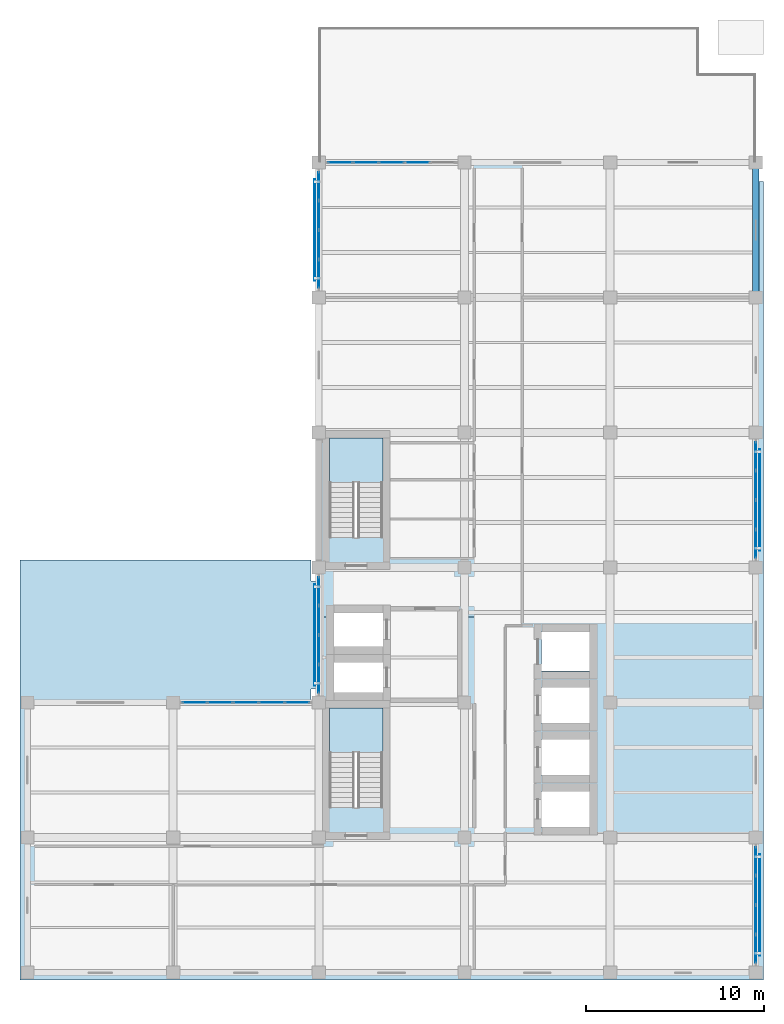
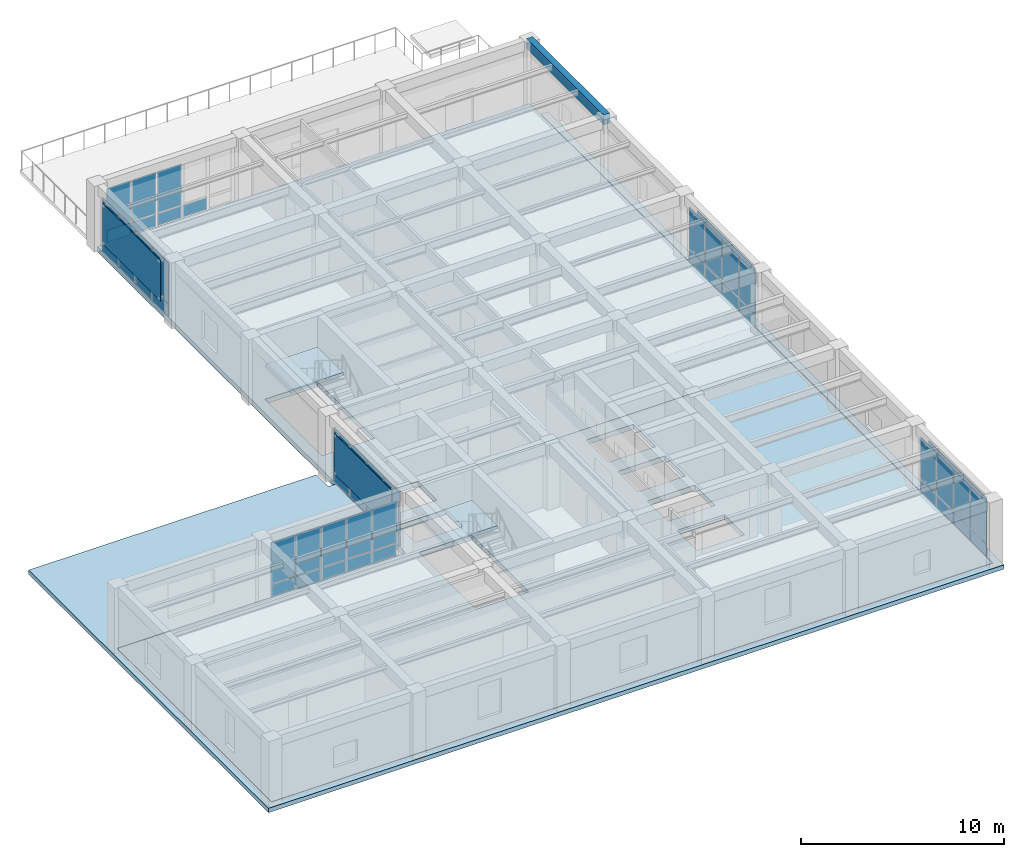
# One storey, part 5 of 12: 53 plates, 5 slabs, 1 beam, 8 elements without a shape of their own.
"""IFC4 building model written with IfcOpenShell, lengths in metres."""

from ifc_helpers import new_model, si_unit, direction, frame, origin, origin_2d, place, context, subcontext, project, spatial, polyline, rectangle, outline, extrude, material, layer, layer_set, material_profile, profile_set, type_object, element, aggregate, save


model = new_model("IFC4")

# Units and contexts
model_context = context("Model", 3, precision=1e-05, world=origin(), true_north=direction((0.0, 1.0)))
body_context = subcontext(model_context, "Body", "Model", "MODEL_VIEW")
ifc_project = project(units=[si_unit("LENGTHUNIT", "METRE"), si_unit("AREAUNIT", "SQUARE_METRE"), si_unit("VOLUMEUNIT", "CUBIC_METRE"), si_unit("PLANEANGLEUNIT", "RADIAN"), si_unit("MASSUNIT", "GRAM", prefix="KILO")], contexts=[model_context])

# Site, building, storey
site_placement = place(None, origin())
site = spatial("IfcSite", under=ifc_project, at=site_placement, CompositionType="ELEMENT")
building_placement = place(site_placement, origin())
building = spatial("IfcBuilding", under=site, at=building_placement, Name="Qandaris Square Conservatory and Botanical Centre", CompositionType="ELEMENT")
storey_placement = place(building_placement, frame((0.0, 0.0, 53.39990234375)))
storey = spatial("IfcBuildingStorey", under=building, at=storey_placement, Name="L12", CompositionType="ELEMENT", Elevation=53.39990234375)

# Beam
ifc_material_1 = material(Name="Concrete C50/60", Category="concrete")
ifc_material_profile = material_profile(ifc_material_1, rectangle(XDim=0.35009765625, YDim=0.60009765625, at=origin_2d()), Name="RC-SP 350x600")
ifc_profile_set = profile_set([ifc_material_profile], Name="Concrete C50/60")
beam_type = type_object("IfcBeamType", Name="RC Edge Spandrel Beam 350x600", PredefinedType="SPANDREL", material=ifc_profile_set)
beam_placement = place(storey_placement, frame((163.800048828125, 54.60009765625, 3.66015625), z_axis=(0.0, 1.0, 0.0), x_axis=(-1.0, 0.0, 0.0)))
element("IfcBeam", 1, at=beam_placement, inside=storey, type_object=beam_type, Name="L12 Frame Beam 2697", PredefinedType="SPANDREL", context=body_context, shape_type="SweptSolid", body=[
    extrude(rectangle(XDim=0.35009765625, YDim=0.60009765625, at=origin_2d()), origin(), (0.0, 0.0, 1.0), 7.599853515625),
])

# Curtain wall, plates
ifc_material_2 = material(Name="Anodised Aluminium", Category="aluminium")
curtain_wall_type_1 = type_object("IfcCurtainWallType", Name="Unitised Curtain Wall CW-4-665x336", PredefinedType="USERDEFINED", material=ifc_material_2)
curtain_wall_1_placement = place(storey_placement, origin())
curtain_wall_1 = element("IfcCurtainWall", 2, at=curtain_wall_1_placement, inside=storey, type_object=curtain_wall_type_1, Name="Curtain Wall CW-TWR-L12-2-1", ObjectType="GLAZED CURTAIN WALL", PredefinedType="USERDEFINED")
ifc_material_3 = material(Name="Tempered Low-E Glass", Category="glass")
ifc_layer_1 = layer(ifc_material_3, 0.035888671875)
ifc_layer_set_1 = layer_set([ifc_layer_1], Name="Tempered Low-E Glass")
plate_type_1 = type_object("IfcPlateType", Name="Double-Glazed Solar Control Vision Unit 36mm", PredefinedType="CURTAIN_PANEL", material=ifc_layer_set_1)
plate_1_placement = place(storey_placement, frame((163.800048828125, 17.922607421875, 0.06494140625), z_axis=(0.0, 0.0, 1.0), x_axis=(0.0, 1.0, 0.0)))
plate_1 = element("IfcPlate", 3, at=plate_1_placement, type_object=plate_type_1, Name="CW-4-665x336 panel 1.1", PredefinedType="CURTAIN_PANEL", context=body_context, shape_type="SweptSolid", body=[
    extrude(rectangle(XDim=1.56494140625, YDim=0.035888671875, at=origin_2d()), origin(), (0.0, 0.0, 1.0), 0.708984375),
])
plate_2_placement = place(storey_placement, frame((163.800048828125, 17.922607421875, 0.839111328125), z_axis=(0.0, 0.0, 1.0), x_axis=(0.0, 1.0, 0.0)))
plate_2 = element("IfcPlate", 4, at=plate_2_placement, type_object=plate_type_1, Name="CW-4-665x336 panel 1.2", PredefinedType="CURTAIN_PANEL", context=body_context, shape_type="SweptSolid", body=[
    extrude(rectangle(XDim=1.56494140625, YDim=0.035888671875, at=origin_2d()), origin(), (0.0, 0.0, 1.0), 2.4560546875),
])
plate_3_placement = place(storey_placement, frame((163.800048828125, 19.56884765625, 0.06494140625), z_axis=(0.0, 0.0, 1.0), x_axis=(0.0, 1.0, 0.0)))
plate_3 = element("IfcPlate", 5, at=plate_3_placement, type_object=plate_type_1, Name="CW-4-665x336 panel 2.1", PredefinedType="CURTAIN_PANEL", context=body_context, shape_type="SweptSolid", body=[
    extrude(rectangle(XDim=1.597412109375, YDim=0.035888671875, at=origin_2d()), origin(), (0.0, 0.0, 1.0), 0.708984375),
])
plate_4_placement = place(storey_placement, frame((163.800048828125, 19.56884765625, 0.839111328125), z_axis=(0.0, 0.0, 1.0), x_axis=(0.0, 1.0, 0.0)))
plate_4 = element("IfcPlate", 6, at=plate_4_placement, type_object=plate_type_1, Name="CW-4-665x336 panel 2.2", PredefinedType="CURTAIN_PANEL", context=body_context, shape_type="SweptSolid", body=[
    extrude(rectangle(XDim=1.597412109375, YDim=0.035888671875, at=origin_2d()), origin(), (0.0, 0.0, 1.0), 2.4560546875),
])
plate_5_placement = place(storey_placement, frame((163.800048828125, 21.231201171875, 0.06494140625), z_axis=(0.0, 0.0, 1.0), x_axis=(0.0, 1.0, 0.0)))
plate_5 = element("IfcPlate", 7, at=plate_5_placement, type_object=plate_type_1, Name="CW-4-665x336 panel 3.1", PredefinedType="CURTAIN_PANEL", context=body_context, shape_type="SweptSolid", body=[
    extrude(rectangle(XDim=1.597412109375, YDim=0.035888671875, at=origin_2d()), origin(), (0.0, 0.0, 1.0), 0.708984375),
])
plate_6_placement = place(storey_placement, frame((163.800048828125, 21.231201171875, 0.839111328125), z_axis=(0.0, 0.0, 1.0), x_axis=(0.0, 1.0, 0.0)))
plate_6 = element("IfcPlate", 8, at=plate_6_placement, type_object=plate_type_1, Name="CW-4-665x336 panel 3.2", PredefinedType="CURTAIN_PANEL", context=body_context, shape_type="SweptSolid", body=[
    extrude(rectangle(XDim=1.597412109375, YDim=0.035888671875, at=origin_2d()), origin(), (0.0, 0.0, 1.0), 2.4560546875),
])
plate_7_placement = place(storey_placement, frame((163.800048828125, 22.87744140625, 0.06494140625), z_axis=(0.0, 0.0, 1.0), x_axis=(0.0, 1.0, 0.0)))
plate_7 = element("IfcPlate", 9, at=plate_7_placement, type_object=plate_type_1, Name="CW-4-665x336 panel 4.1", PredefinedType="CURTAIN_PANEL", context=body_context, shape_type="SweptSolid", body=[
    extrude(rectangle(XDim=1.56494140625, YDim=0.035888671875, at=origin_2d()), origin(), (0.0, 0.0, 1.0), 0.708984375),
])
plate_8_placement = place(storey_placement, frame((163.800048828125, 22.87744140625, 0.839111328125), z_axis=(0.0, 0.0, 1.0), x_axis=(0.0, 1.0, 0.0)))
plate_8 = element("IfcPlate", 10, at=plate_8_placement, type_object=plate_type_1, Name="CW-4-665x336 panel 4.2", PredefinedType="CURTAIN_PANEL", context=body_context, shape_type="SweptSolid", body=[
    extrude(rectangle(XDim=1.56494140625, YDim=0.035888671875, at=origin_2d()), origin(), (0.0, 0.0, 1.0), 2.4560546875),
])
aggregate(curtain_wall_1, [plate_1, plate_2, plate_3, plate_4, plate_5, plate_6, plate_7, plate_8])

curtain_wall_2_placement = place(storey_placement, origin())
curtain_wall_2 = element("IfcCurtainWall", 11, at=curtain_wall_2_placement, inside=storey, type_object=curtain_wall_type_1, Name="Curtain Wall CW-TWR-L12-2-4", ObjectType="GLAZED CURTAIN WALL", PredefinedType="USERDEFINED")
plate_9_placement = place(storey_placement, frame((163.800048828125, 40.722412109375, 0.06494140625), z_axis=(0.0, 0.0, 1.0), x_axis=(0.0, 1.0, 0.0)))
plate_9 = element("IfcPlate", 12, at=plate_9_placement, type_object=plate_type_1, Name="CW-4-665x336 panel 1.1", PredefinedType="CURTAIN_PANEL", context=body_context, shape_type="SweptSolid", body=[
    extrude(rectangle(XDim=1.56494140625, YDim=0.035888671875, at=origin_2d()), origin(), (0.0, 0.0, 1.0), 0.708984375),
])
plate_10_placement = place(storey_placement, frame((163.800048828125, 40.722412109375, 0.839111328125), z_axis=(0.0, 0.0, 1.0), x_axis=(0.0, 1.0, 0.0)))
plate_10 = element("IfcPlate", 13, at=plate_10_placement, type_object=plate_type_1, Name="CW-4-665x336 panel 1.2", PredefinedType="CURTAIN_PANEL", context=body_context, shape_type="SweptSolid", body=[
    extrude(rectangle(XDim=1.56494140625, YDim=0.035888671875, at=origin_2d()), origin(), (0.0, 0.0, 1.0), 2.4560546875),
])
plate_11_placement = place(storey_placement, frame((163.800048828125, 42.36865234375, 0.06494140625), z_axis=(0.0, 0.0, 1.0), x_axis=(0.0, 1.0, 0.0)))
plate_11 = element("IfcPlate", 14, at=plate_11_placement, type_object=plate_type_1, Name="CW-4-665x336 panel 2.1", PredefinedType="CURTAIN_PANEL", context=body_context, shape_type="SweptSolid", body=[
    extrude(rectangle(XDim=1.597412109375, YDim=0.035888671875, at=origin_2d()), origin(), (0.0, 0.0, 1.0), 0.708984375),
])
plate_12_placement = place(storey_placement, frame((163.800048828125, 42.36865234375, 0.839111328125), z_axis=(0.0, 0.0, 1.0), x_axis=(0.0, 1.0, 0.0)))
plate_12 = element("IfcPlate", 15, at=plate_12_placement, type_object=plate_type_1, Name="CW-4-665x336 panel 2.2", PredefinedType="CURTAIN_PANEL", context=body_context, shape_type="SweptSolid", body=[
    extrude(rectangle(XDim=1.597412109375, YDim=0.035888671875, at=origin_2d()), origin(), (0.0, 0.0, 1.0), 2.4560546875),
])
plate_13_placement = place(storey_placement, frame((163.800048828125, 44.03125, 0.06494140625), z_axis=(0.0, 0.0, 1.0), x_axis=(0.0, 1.0, 0.0)))
plate_13 = element("IfcPlate", 16, at=plate_13_placement, type_object=plate_type_1, Name="CW-4-665x336 panel 3.1", PredefinedType="CURTAIN_PANEL", context=body_context, shape_type="SweptSolid", body=[
    extrude(rectangle(XDim=1.597412109375, YDim=0.035888671875, at=origin_2d()), origin(), (0.0, 0.0, 1.0), 0.708984375),
])
plate_14_placement = place(storey_placement, frame((163.800048828125, 44.03125, 0.839111328125), z_axis=(0.0, 0.0, 1.0), x_axis=(0.0, 1.0, 0.0)))
plate_14 = element("IfcPlate", 17, at=plate_14_placement, type_object=plate_type_1, Name="CW-4-665x336 panel 3.2", PredefinedType="CURTAIN_PANEL", context=body_context, shape_type="SweptSolid", body=[
    extrude(rectangle(XDim=1.597412109375, YDim=0.035888671875, at=origin_2d()), origin(), (0.0, 0.0, 1.0), 2.4560546875),
])
plate_15_placement = place(storey_placement, frame((163.800048828125, 45.677490234375, 0.06494140625), z_axis=(0.0, 0.0, 1.0), x_axis=(0.0, 1.0, 0.0)))
plate_15 = element("IfcPlate", 18, at=plate_15_placement, type_object=plate_type_1, Name="CW-4-665x336 panel 4.1", PredefinedType="CURTAIN_PANEL", context=body_context, shape_type="SweptSolid", body=[
    extrude(rectangle(XDim=1.56494140625, YDim=0.035888671875, at=origin_2d()), origin(), (0.0, 0.0, 1.0), 0.708984375),
])
plate_16_placement = place(storey_placement, frame((163.800048828125, 45.677490234375, 0.839111328125), z_axis=(0.0, 0.0, 1.0), x_axis=(0.0, 1.0, 0.0)))
plate_16 = element("IfcPlate", 19, at=plate_16_placement, type_object=plate_type_1, Name="CW-4-665x336 panel 4.2", PredefinedType="CURTAIN_PANEL", context=body_context, shape_type="SweptSolid", body=[
    extrude(rectangle(XDim=1.56494140625, YDim=0.035888671875, at=origin_2d()), origin(), (0.0, 0.0, 1.0), 2.4560546875),
])
aggregate(curtain_wall_2, [plate_9, plate_10, plate_11, plate_12, plate_13, plate_14, plate_15, plate_16])

curtain_wall_type_2 = type_object("IfcCurtainWallType", Name="Unitised Curtain Wall CW-3-725x336", PredefinedType="USERDEFINED", material=ifc_material_2)
curtain_wall_3_placement = place(storey_placement, origin())
curtain_wall_3 = element("IfcCurtainWall", 20, at=curtain_wall_3_placement, inside=storey, type_object=curtain_wall_type_2, Name="Curtain Wall CW-TWR-L12-3-3", ObjectType="GLAZED CURTAIN WALL", PredefinedType="USERDEFINED")
plate_17_placement = place(storey_placement, frame((144.75, 62.199951171875, 0.06494140625), z_axis=(0.0, 0.0, 1.0), x_axis=(-1.0, 0.0, 0.0)))
plate_17 = element("IfcPlate", 21, at=plate_17_placement, type_object=plate_type_1, Name="CW-3-725x336 panel 2.1", PredefinedType="CURTAIN_PANEL", context=body_context, shape_type="SweptSolid", body=[
    extrude(rectangle(XDim=1.385009765625, YDim=0.035888671875, at=origin_2d()), origin(), (0.0, 0.0, 1.0), 0.708984375),
])
plate_18_placement = place(storey_placement, frame((143.300048828125, 62.199951171875, 0.06494140625), z_axis=(0.0, 0.0, 1.0), x_axis=(-1.0, 0.0, 0.0)))
plate_18 = element("IfcPlate", 22, at=plate_18_placement, type_object=plate_type_1, Name="CW-3-725x336 panel 3.1", PredefinedType="CURTAIN_PANEL", context=body_context, shape_type="SweptSolid", body=[
    extrude(rectangle(XDim=1.385009765625, YDim=0.035888671875, at=origin_2d()), origin(), (0.0, 0.0, 1.0), 0.708984375),
])
plate_19_placement = place(storey_placement, frame((143.300048828125, 62.199951171875, 0.839111328125), z_axis=(0.0, 0.0, 1.0), x_axis=(-1.0, 0.0, 0.0)))
plate_19 = element("IfcPlate", 23, at=plate_19_placement, type_object=plate_type_1, Name="CW-3-725x336 panel 3.2", PredefinedType="CURTAIN_PANEL", context=body_context, shape_type="SweptSolid", body=[
    extrude(rectangle(XDim=1.385009765625, YDim=0.035888671875, at=origin_2d()), origin(), (0.0, 0.0, 1.0), 2.4560546875),
])
plate_20_placement = place(storey_placement, frame((141.85009765625, 62.199951171875, 0.06494140625), z_axis=(0.0, 0.0, 1.0), x_axis=(-1.0, 0.0, 0.0)))
plate_20 = element("IfcPlate", 24, at=plate_20_placement, type_object=plate_type_1, Name="CW-3-725x336 panel 4.1", PredefinedType="CURTAIN_PANEL", context=body_context, shape_type="SweptSolid", body=[
    extrude(rectangle(XDim=1.385009765625, YDim=0.035888671875, at=origin_2d()), origin(), (0.0, 0.0, 1.0), 0.708984375),
])
plate_21_placement = place(storey_placement, frame((141.85009765625, 62.199951171875, 0.839111328125), z_axis=(0.0, 0.0, 1.0), x_axis=(-1.0, 0.0, 0.0)))
plate_21 = element("IfcPlate", 25, at=plate_21_placement, type_object=plate_type_1, Name="CW-3-725x336 panel 4.2", PredefinedType="CURTAIN_PANEL", context=body_context, shape_type="SweptSolid", body=[
    extrude(rectangle(XDim=1.385009765625, YDim=0.035888671875, at=origin_2d()), origin(), (0.0, 0.0, 1.0), 2.4560546875),
])
plate_22_placement = place(storey_placement, frame((140.416259765625, 62.199951171875, 0.06494140625), z_axis=(0.0, 0.0, 1.0), x_axis=(-1.0, 0.0, 0.0)))
plate_22 = element("IfcPlate", 26, at=plate_22_placement, type_object=plate_type_1, Name="CW-3-725x336 panel 5.1", PredefinedType="CURTAIN_PANEL", context=body_context, shape_type="SweptSolid", body=[
    extrude(rectangle(XDim=1.3525390625, YDim=0.035888671875, at=origin_2d()), origin(), (0.0, 0.0, 1.0), 0.708984375),
])
plate_23_placement = place(storey_placement, frame((140.416259765625, 62.199951171875, 0.839111328125), z_axis=(0.0, 0.0, 1.0), x_axis=(-1.0, 0.0, 0.0)))
plate_23 = element("IfcPlate", 27, at=plate_23_placement, type_object=plate_type_1, Name="CW-3-725x336 panel 5.2", PredefinedType="CURTAIN_PANEL", context=body_context, shape_type="SweptSolid", body=[
    extrude(rectangle(XDim=1.3525390625, YDim=0.035888671875, at=origin_2d()), origin(), (0.0, 0.0, 1.0), 2.4560546875),
])
aggregate(curtain_wall_3, [plate_17, plate_18, plate_19, plate_20, plate_21, plate_22, plate_23])

curtain_wall_4_placement = place(storey_placement, origin())
curtain_wall_4 = element("IfcCurtainWall", 28, at=curtain_wall_4_placement, inside=storey, type_object=curtain_wall_type_1, Name="Curtain Wall CW-TWR-L12-4-1", ObjectType="GLAZED CURTAIN WALL", PredefinedType="USERDEFINED")
plate_24_placement = place(storey_placement, frame((139.199951171875, 60.87744140625, 0.06494140625), z_axis=(0.0, 0.0, 1.0), x_axis=(0.0, -1.0, 0.0)))
plate_24 = element("IfcPlate", 29, at=plate_24_placement, type_object=plate_type_1, Name="CW-4-665x336 panel 1.1", PredefinedType="CURTAIN_PANEL", context=body_context, shape_type="SweptSolid", body=[
    extrude(rectangle(XDim=1.56494140625, YDim=0.035888671875, at=origin_2d()), origin(), (0.0, 0.0, 1.0), 0.708984375),
])
plate_25_placement = place(storey_placement, frame((139.199951171875, 60.87744140625, 0.839111328125), z_axis=(0.0, 0.0, 1.0), x_axis=(0.0, -1.0, 0.0)))
plate_25 = element("IfcPlate", 30, at=plate_25_placement, type_object=plate_type_1, Name="CW-4-665x336 panel 1.2", PredefinedType="CURTAIN_PANEL", context=body_context, shape_type="SweptSolid", body=[
    extrude(rectangle(XDim=1.56494140625, YDim=0.035888671875, at=origin_2d()), origin(), (0.0, 0.0, 1.0), 2.4560546875),
])
plate_26_placement = place(storey_placement, frame((139.199951171875, 59.231201171875, 0.06494140625), z_axis=(0.0, 0.0, 1.0), x_axis=(0.0, -1.0, 0.0)))
plate_26 = element("IfcPlate", 31, at=plate_26_placement, type_object=plate_type_1, Name="CW-4-665x336 panel 2.1", PredefinedType="CURTAIN_PANEL", context=body_context, shape_type="SweptSolid", body=[
    extrude(rectangle(XDim=1.597412109375, YDim=0.035888671875, at=origin_2d()), origin(), (0.0, 0.0, 1.0), 0.708984375),
])
plate_27_placement = place(storey_placement, frame((139.199951171875, 59.231201171875, 0.839111328125), z_axis=(0.0, 0.0, 1.0), x_axis=(0.0, -1.0, 0.0)))
plate_27 = element("IfcPlate", 32, at=plate_27_placement, type_object=plate_type_1, Name="CW-4-665x336 panel 2.2", PredefinedType="CURTAIN_PANEL", context=body_context, shape_type="SweptSolid", body=[
    extrude(rectangle(XDim=1.597412109375, YDim=0.035888671875, at=origin_2d()), origin(), (0.0, 0.0, 1.0), 2.4560546875),
])
plate_28_placement = place(storey_placement, frame((139.199951171875, 57.56884765625, 0.06494140625), z_axis=(0.0, 0.0, 1.0), x_axis=(0.0, -1.0, 0.0)))
plate_28 = element("IfcPlate", 33, at=plate_28_placement, type_object=plate_type_1, Name="CW-4-665x336 panel 3.1", PredefinedType="CURTAIN_PANEL", context=body_context, shape_type="SweptSolid", body=[
    extrude(rectangle(XDim=1.597412109375, YDim=0.035888671875, at=origin_2d()), origin(), (0.0, 0.0, 1.0), 0.708984375),
])
plate_29_placement = place(storey_placement, frame((139.199951171875, 57.56884765625, 0.839111328125), z_axis=(0.0, 0.0, 1.0), x_axis=(0.0, -1.0, 0.0)))
plate_29 = element("IfcPlate", 34, at=plate_29_placement, type_object=plate_type_1, Name="CW-4-665x336 panel 3.2", PredefinedType="CURTAIN_PANEL", context=body_context, shape_type="SweptSolid", body=[
    extrude(rectangle(XDim=1.597412109375, YDim=0.035888671875, at=origin_2d()), origin(), (0.0, 0.0, 1.0), 2.4560546875),
])
plate_30_placement = place(storey_placement, frame((139.199951171875, 55.922607421875, 0.06494140625), z_axis=(0.0, 0.0, 1.0), x_axis=(0.0, -1.0, 0.0)))
plate_30 = element("IfcPlate", 35, at=plate_30_placement, type_object=plate_type_1, Name="CW-4-665x336 panel 4.1", PredefinedType="CURTAIN_PANEL", context=body_context, shape_type="SweptSolid", body=[
    extrude(rectangle(XDim=1.56494140625, YDim=0.035888671875, at=origin_2d()), origin(), (0.0, 0.0, 1.0), 0.708984375),
])
plate_31_placement = place(storey_placement, frame((139.199951171875, 55.922607421875, 0.839111328125), z_axis=(0.0, 0.0, 1.0), x_axis=(0.0, -1.0, 0.0)))
plate_31 = element("IfcPlate", 36, at=plate_31_placement, type_object=plate_type_1, Name="CW-4-665x336 panel 4.2", PredefinedType="CURTAIN_PANEL", context=body_context, shape_type="SweptSolid", body=[
    extrude(rectangle(XDim=1.56494140625, YDim=0.035888671875, at=origin_2d()), origin(), (0.0, 0.0, 1.0), 2.4560546875),
])
aggregate(curtain_wall_4, [plate_24, plate_25, plate_26, plate_27, plate_28, plate_29, plate_30, plate_31])

curtain_wall_5_placement = place(storey_placement, origin())
curtain_wall_5 = element("IfcCurtainWall", 37, at=curtain_wall_5_placement, inside=storey, type_object=curtain_wall_type_1, Name="Curtain Wall CW-TWR-L12-4-4", ObjectType="GLAZED CURTAIN WALL", PredefinedType="USERDEFINED")
plate_32_placement = place(storey_placement, frame((139.199951171875, 38.077392578125, 0.06494140625), z_axis=(0.0, 0.0, 1.0), x_axis=(0.0, -1.0, 0.0)))
plate_32 = element("IfcPlate", 38, at=plate_32_placement, type_object=plate_type_1, Name="CW-4-665x336 panel 1.1", PredefinedType="CURTAIN_PANEL", context=body_context, shape_type="SweptSolid", body=[
    extrude(rectangle(XDim=1.56494140625, YDim=0.035888671875, at=origin_2d()), origin(), (0.0, 0.0, 1.0), 0.708984375),
])
plate_33_placement = place(storey_placement, frame((139.199951171875, 38.077392578125, 0.839111328125), z_axis=(0.0, 0.0, 1.0), x_axis=(0.0, -1.0, 0.0)))
plate_33 = element("IfcPlate", 39, at=plate_33_placement, type_object=plate_type_1, Name="CW-4-665x336 panel 1.2", PredefinedType="CURTAIN_PANEL", context=body_context, shape_type="SweptSolid", body=[
    extrude(rectangle(XDim=1.56494140625, YDim=0.035888671875, at=origin_2d()), origin(), (0.0, 0.0, 1.0), 2.4560546875),
])
plate_34_placement = place(storey_placement, frame((139.199951171875, 36.43115234375, 0.06494140625), z_axis=(0.0, 0.0, 1.0), x_axis=(0.0, -1.0, 0.0)))
plate_34 = element("IfcPlate", 40, at=plate_34_placement, type_object=plate_type_1, Name="CW-4-665x336 panel 2.1", PredefinedType="CURTAIN_PANEL", context=body_context, shape_type="SweptSolid", body=[
    extrude(rectangle(XDim=1.597412109375, YDim=0.035888671875, at=origin_2d()), origin(), (0.0, 0.0, 1.0), 0.708984375),
])
plate_35_placement = place(storey_placement, frame((139.199951171875, 36.43115234375, 0.839111328125), z_axis=(0.0, 0.0, 1.0), x_axis=(0.0, -1.0, 0.0)))
plate_35 = element("IfcPlate", 41, at=plate_35_placement, type_object=plate_type_1, Name="CW-4-665x336 panel 2.2", PredefinedType="CURTAIN_PANEL", context=body_context, shape_type="SweptSolid", body=[
    extrude(rectangle(XDim=1.597412109375, YDim=0.035888671875, at=origin_2d()), origin(), (0.0, 0.0, 1.0), 2.4560546875),
])
plate_36_placement = place(storey_placement, frame((139.199951171875, 34.768798828125, 0.06494140625), z_axis=(0.0, 0.0, 1.0), x_axis=(0.0, -1.0, 0.0)))
plate_36 = element("IfcPlate", 42, at=plate_36_placement, type_object=plate_type_1, Name="CW-4-665x336 panel 3.1", PredefinedType="CURTAIN_PANEL", context=body_context, shape_type="SweptSolid", body=[
    extrude(rectangle(XDim=1.597412109375, YDim=0.035888671875, at=origin_2d()), origin(), (0.0, 0.0, 1.0), 0.708984375),
])
plate_37_placement = place(storey_placement, frame((139.199951171875, 34.768798828125, 0.839111328125), z_axis=(0.0, 0.0, 1.0), x_axis=(0.0, -1.0, 0.0)))
plate_37 = element("IfcPlate", 43, at=plate_37_placement, type_object=plate_type_1, Name="CW-4-665x336 panel 3.2", PredefinedType="CURTAIN_PANEL", context=body_context, shape_type="SweptSolid", body=[
    extrude(rectangle(XDim=1.597412109375, YDim=0.035888671875, at=origin_2d()), origin(), (0.0, 0.0, 1.0), 2.4560546875),
])
plate_38_placement = place(storey_placement, frame((139.199951171875, 33.12255859375, 0.06494140625), z_axis=(0.0, 0.0, 1.0), x_axis=(0.0, -1.0, 0.0)))
plate_38 = element("IfcPlate", 44, at=plate_38_placement, type_object=plate_type_1, Name="CW-4-665x336 panel 4.1", PredefinedType="CURTAIN_PANEL", context=body_context, shape_type="SweptSolid", body=[
    extrude(rectangle(XDim=1.56494140625, YDim=0.035888671875, at=origin_2d()), origin(), (0.0, 0.0, 1.0), 0.708984375),
])
plate_39_placement = place(storey_placement, frame((139.199951171875, 33.12255859375, 0.839111328125), z_axis=(0.0, 0.0, 1.0), x_axis=(0.0, -1.0, 0.0)))
plate_39 = element("IfcPlate", 45, at=plate_39_placement, type_object=plate_type_1, Name="CW-4-665x336 panel 4.2", PredefinedType="CURTAIN_PANEL", context=body_context, shape_type="SweptSolid", body=[
    extrude(rectangle(XDim=1.56494140625, YDim=0.035888671875, at=origin_2d()), origin(), (0.0, 0.0, 1.0), 2.4560546875),
])
aggregate(curtain_wall_5, [plate_32, plate_33, plate_34, plate_35, plate_36, plate_37, plate_38, plate_39])

curtain_wall_type_3 = type_object("IfcCurtainWallType", Name="Unitised Curtain Wall CW-4-725x336", PredefinedType="USERDEFINED", material=ifc_material_2)
curtain_wall_6_placement = place(storey_placement, origin())
curtain_wall_6 = element("IfcCurtainWall", 46, at=curtain_wall_6_placement, inside=storey, type_object=curtain_wall_type_3, Name="Curtain Wall CW-TWR-L12-5-1", ObjectType="GLAZED CURTAIN WALL", PredefinedType="USERDEFINED")
plate_40_placement = place(storey_placement, frame((137.983642578125, 31.800048828125, 0.06494140625), z_axis=(0.0, 0.0, 1.0), x_axis=(-1.0, 0.0, 0.0)))
plate_40 = element("IfcPlate", 47, at=plate_40_placement, type_object=plate_type_1, Name="CW-4-725x336 panel 1.1", PredefinedType="CURTAIN_PANEL", context=body_context, shape_type="SweptSolid", body=[
    extrude(rectangle(XDim=1.3525390625, YDim=0.035888671875, at=origin_2d()), origin(), (0.0, 0.0, 1.0), 0.708984375),
])
plate_41_placement = place(storey_placement, frame((137.983642578125, 31.800048828125, 0.839111328125), z_axis=(0.0, 0.0, 1.0), x_axis=(-1.0, 0.0, 0.0)))
plate_41 = element("IfcPlate", 48, at=plate_41_placement, type_object=plate_type_1, Name="CW-4-725x336 panel 1.2", PredefinedType="CURTAIN_PANEL", context=body_context, shape_type="SweptSolid", body=[
    extrude(rectangle(XDim=1.3525390625, YDim=0.035888671875, at=origin_2d()), origin(), (0.0, 0.0, 1.0), 2.4560546875),
])
plate_42_placement = place(storey_placement, frame((136.550048828125, 31.800048828125, 0.06494140625), z_axis=(0.0, 0.0, 1.0), x_axis=(-1.0, 0.0, 0.0)))
plate_42 = element("IfcPlate", 49, at=plate_42_placement, type_object=plate_type_1, Name="CW-4-725x336 panel 2.1", PredefinedType="CURTAIN_PANEL", context=body_context, shape_type="SweptSolid", body=[
    extrude(rectangle(XDim=1.385009765625, YDim=0.035888671875, at=origin_2d()), origin(), (0.0, 0.0, 1.0), 0.708984375),
])
plate_43_placement = place(storey_placement, frame((136.550048828125, 31.800048828125, 0.839111328125), z_axis=(0.0, 0.0, 1.0), x_axis=(-1.0, 0.0, 0.0)))
plate_43 = element("IfcPlate", 50, at=plate_43_placement, type_object=plate_type_1, Name="CW-4-725x336 panel 2.2", PredefinedType="CURTAIN_PANEL", context=body_context, shape_type="SweptSolid", body=[
    extrude(rectangle(XDim=1.385009765625, YDim=0.035888671875, at=origin_2d()), origin(), (0.0, 0.0, 1.0), 2.4560546875),
])
plate_44_placement = place(storey_placement, frame((135.10009765625, 31.800048828125, 0.06494140625), z_axis=(0.0, 0.0, 1.0), x_axis=(-1.0, 0.0, 0.0)))
plate_44 = element("IfcPlate", 51, at=plate_44_placement, type_object=plate_type_1, Name="CW-4-725x336 panel 3.1", PredefinedType="CURTAIN_PANEL", context=body_context, shape_type="SweptSolid", body=[
    extrude(rectangle(XDim=1.385009765625, YDim=0.035888671875, at=origin_2d()), origin(), (0.0, 0.0, 1.0), 0.708984375),
])
plate_45_placement = place(storey_placement, frame((135.10009765625, 31.800048828125, 0.839111328125), z_axis=(0.0, 0.0, 1.0), x_axis=(-1.0, 0.0, 0.0)))
plate_45 = element("IfcPlate", 52, at=plate_45_placement, type_object=plate_type_1, Name="CW-4-725x336 panel 3.2", PredefinedType="CURTAIN_PANEL", context=body_context, shape_type="SweptSolid", body=[
    extrude(rectangle(XDim=1.385009765625, YDim=0.035888671875, at=origin_2d()), origin(), (0.0, 0.0, 1.0), 2.4560546875),
])
plate_46_placement = place(storey_placement, frame((133.64990234375, 31.800048828125, 0.06494140625), z_axis=(0.0, 0.0, 1.0), x_axis=(-1.0, 0.0, 0.0)))
plate_46 = element("IfcPlate", 53, at=plate_46_placement, type_object=plate_type_1, Name="CW-4-725x336 panel 4.1", PredefinedType="CURTAIN_PANEL", context=body_context, shape_type="SweptSolid", body=[
    extrude(rectangle(XDim=1.385009765625, YDim=0.035888671875, at=origin_2d()), origin(), (0.0, 0.0, 1.0), 0.708984375),
])
plate_47_placement = place(storey_placement, frame((133.64990234375, 31.800048828125, 0.839111328125), z_axis=(0.0, 0.0, 1.0), x_axis=(-1.0, 0.0, 0.0)))
plate_47 = element("IfcPlate", 54, at=plate_47_placement, type_object=plate_type_1, Name="CW-4-725x336 panel 4.2", PredefinedType="CURTAIN_PANEL", context=body_context, shape_type="SweptSolid", body=[
    extrude(rectangle(XDim=1.385009765625, YDim=0.035888671875, at=origin_2d()), origin(), (0.0, 0.0, 1.0), 2.4560546875),
])
plate_48_placement = place(storey_placement, frame((132.21630859375, 31.800048828125, 0.06494140625), z_axis=(0.0, 0.0, 1.0), x_axis=(-1.0, 0.0, 0.0)))
plate_48 = element("IfcPlate", 55, at=plate_48_placement, type_object=plate_type_1, Name="CW-4-725x336 panel 5.1", PredefinedType="CURTAIN_PANEL", context=body_context, shape_type="SweptSolid", body=[
    extrude(rectangle(XDim=1.3525390625, YDim=0.035888671875, at=origin_2d()), origin(), (0.0, 0.0, 1.0), 0.708984375),
])
plate_49_placement = place(storey_placement, frame((132.21630859375, 31.800048828125, 0.839111328125), z_axis=(0.0, 0.0, 1.0), x_axis=(-1.0, 0.0, 0.0)))
plate_49 = element("IfcPlate", 56, at=plate_49_placement, type_object=plate_type_1, Name="CW-4-725x336 panel 5.2", PredefinedType="CURTAIN_PANEL", context=body_context, shape_type="SweptSolid", body=[
    extrude(rectangle(XDim=1.3525390625, YDim=0.035888671875, at=origin_2d()), origin(), (0.0, 0.0, 1.0), 2.4560546875),
])
aggregate(curtain_wall_6, [plate_40, plate_41, plate_42, plate_43, plate_44, plate_45, plate_46, plate_47, plate_48, plate_49])

# Plates
ifc_material_4 = material(Name="Weathering Bronze Alloy", Category="metal")
ifc_layer_2 = layer(ifc_material_4, 0.044921875)
ifc_layer_set_2 = layer_set([ifc_layer_2], Name="Weathering Bronze Alloy")
plate_type_2 = type_object("IfcPlateType", Name="Perforated Bronze Mashrabiya Solar Screen Panel", PredefinedType="USERDEFINED", material=ifc_layer_set_2)
for number, where, z_axis, x_axis, name in (
    (57, (164.02001953125, 20.39990234375, 0.83642578125), (0.0, 0.0, 1.0), (0.0, 1.0, 0.0), "Mashrabiya Solar Screen CW-TWR-L12-2-1"),
    (58, (164.02001953125, 43.199951171875, 0.83642578125), (0.0, 0.0, 1.0), (0.0, 1.0, 0.0), "Mashrabiya Solar Screen CW-TWR-L12-2-4"),
    (59, (138.97998046875, 58.39990234375, 0.83642578125), (0.0, 0.0, 1.0), (0.0, -1.0, 0.0), "Mashrabiya Solar Screen CW-TWR-L12-4-1"),
    (60, (138.97998046875, 35.60009765625, 0.83642578125), (0.0, 0.0, 1.0), (0.0, -1.0, 0.0), "Mashrabiya Solar Screen CW-TWR-L12-4-4"),
):
    element("IfcPlate", number, at=place(storey_placement, frame(where, z_axis=z_axis, x_axis=x_axis)), inside=storey, type_object=plate_type_2, Name=name, ObjectType="SOLAR SCREEN", PredefinedType="USERDEFINED", context=body_context, shape_type="SweptSolid", body=[
        extrude(rectangle(XDim=5.68994140625, YDim=0.044921875, at=origin_2d()), origin(), (0.0, 0.0, 1.0), 2.43359375),
    ])

# Slab
ifc_material_5 = material(Name="Concrete C40/50", Category="concrete")
ifc_layer_3 = layer(ifc_material_5, 0.2548828125)
ifc_layer_set_3 = layer_set([ifc_layer_3], Name="Concrete C40/50")
slab_type_1 = type_object("IfcSlabType", Name="RC Flat Roof Slab 255mm", PredefinedType="ROOF", material=ifc_layer_set_3)
slab_1_placement = place(storey_placement, frame((0.0, 0.0, -0.2548828125)))
element("IfcSlab", 61, at=slab_1_placement, inside=storey, type_object=slab_type_1, Name="Step-Back Flat Roof Slab L12-1", PredefinedType="ROOF", context=body_context, shape_type="SweptSolid", body=[
    extrude(outline(polyline([(138.75, 39.820068359375), (138.75, 38.64990234375), (139.179931640625, 38.64990234375), (139.179931640625, 32.550048828125), (138.75, 32.550048828125), (138.75, 31.820068359375), (122.780029296875, 31.820068359375), (122.780029296875, 16.580078125), (163.820068359375, 16.580078125), (163.820068359375, 61.1298828125), (164.219970703125, 61.1298828125), (164.219970703125, 16.179931640625), (122.3798828125, 16.179931640625), (122.3798828125, 39.820068359375), (138.75, 39.820068359375)])), origin(), (0.0, 0.0, 1.0), 0.2548828125),
])

# Stair, slab
stair_type = type_object("IfcStairType", Name="Core Escape Scissor Stair", PredefinedType="HALF_TURN_STAIR", material=ifc_material_5)
stair_1_placement = place(storey_placement, origin())
stair_1 = element("IfcStair", 62, at=stair_1_placement, inside=storey, type_object=stair_type, Name="L12 Tower South Exit Stair ST-1", PredefinedType="HALF_TURN_STAIR")
ifc_layer_4 = layer(ifc_material_5, 0.219970703125)
ifc_layer_set_4 = layer_set([ifc_layer_4], Name="Concrete C40/50")
slab_type_2 = type_object("IfcSlabType", Name="RC Stair Half-Landing Slab 220mm", PredefinedType="LANDING", material=ifc_layer_set_4)
slab_2_placement = place(storey_placement, frame((0.0, 0.0, 1.900146484375)))
slab_2 = element("IfcSlab", 63, at=slab_2_placement, type_object=slab_type_2, Name="ST-1 landing 1", PredefinedType="LANDING", context=body_context, shape_type="SweptSolid", body=[
    extrude(outline(polyline([(142.800048828125, 28.97998046875), (142.800048828125, 31.5), (139.800048828125, 31.5), (139.800048828125, 28.97998046875), (142.800048828125, 28.97998046875)])), origin(), (0.0, 0.0, 1.0), 0.199951171875),
])
aggregate(stair_1, [slab_2])

stair_2_placement = place(storey_placement, origin())
stair_2 = element("IfcStair", 64, at=stair_2_placement, inside=storey, type_object=stair_type, Name="L12 Tower North Exit Stair ST-2", PredefinedType="HALF_TURN_STAIR")
slab_3_placement = place(storey_placement, frame((0.0, 0.0, 1.900146484375)))
slab_3 = element("IfcSlab", 65, at=slab_3_placement, type_object=slab_type_2, Name="ST-2 landing 1", PredefinedType="LANDING", context=body_context, shape_type="SweptSolid", body=[
    extrude(outline(polyline([(142.800048828125, 44.179931640625), (142.800048828125, 46.699951171875), (139.800048828125, 46.699951171875), (139.800048828125, 44.179931640625), (142.800048828125, 44.179931640625)])), origin(), (0.0, 0.0, 1.0), 0.199951171875),
])
aggregate(stair_2, [slab_3])

# Slabs
ifc_layer_5 = layer(ifc_material_5, 0.300048828125)
ifc_layer_set_5 = layer_set([ifc_layer_5], Name="Concrete C40/50")
slab_type_3 = type_object("IfcSlabType", Name="RC Structural Slab 300mm", PredefinedType="FLOOR", material=ifc_layer_set_5)
slab_4_placement = place(storey_placement, frame((0.0, 0.0, -0.2998046875)))
element("IfcSlab", 66, at=slab_4_placement, inside=storey, type_object=slab_type_3, Name="L12 Structural Slab V4L12", PredefinedType="FLOOR", context=body_context, shape_type="SweptSolid", body=[
    extrude(outline(polyline([(139.199951171875, 31.800048828125), (139.199951171875, 36.60009765625), (140.06005859375, 36.60009765625), (140.06005859375, 34.9599609375), (142.800048828125, 34.9599609375), (142.800048828125, 36.60009765625), (163.800048828125, 36.60009765625), (163.800048828125, 16.60009765625), (122.800048828125, 16.60009765625), (122.800048828125, 31.800048828125), (139.199951171875, 31.800048828125)]), holes=[polyline([(151.75, 24.800048828125), (154.449951171875, 24.800048828125), (154.449951171875, 26.800048828125), (151.75, 26.800048828125), (151.75, 24.800048828125)]), polyline([(139.800048828125, 25.89990234375), (142.800048828125, 25.89990234375), (142.800048828125, 31.5), (139.800048828125, 31.5), (139.800048828125, 25.89990234375)]), polyline([(151.75, 27.719970703125), (154.449951171875, 27.719970703125), (154.449951171875, 29.719970703125), (151.75, 29.719970703125), (151.75, 27.719970703125)]), polyline([(151.75, 30.639892578125), (154.449951171875, 30.639892578125), (154.449951171875, 32.639892578125), (151.75, 32.639892578125), (151.75, 30.639892578125)]), polyline([(140.06005859375, 32.360107421875), (142.800048828125, 32.360107421875), (142.800048828125, 34.0400390625), (140.06005859375, 34.0400390625), (140.06005859375, 32.360107421875)]), polyline([(151.75, 33.56005859375), (154.449951171875, 33.56005859375), (154.449951171875, 35.760009765625), (151.75, 35.760009765625), (151.75, 33.56005859375)])]), origin(), (0.0, 0.0, 1.0), 0.2998046875),
])
slab_5_placement = place(storey_placement, frame((0.0, 0.0, -0.2998046875)))
element("IfcSlab", 67, at=slab_5_placement, inside=storey, type_object=slab_type_3, Name="L12 Structural Slab V4L12", PredefinedType="FLOOR", context=body_context, shape_type="SweptSolid", body=[
    extrude(outline(polyline([(139.199951171875, 62.199951171875), (163.800048828125, 62.199951171875), (163.800048828125, 36.60009765625), (142.800048828125, 36.60009765625), (142.800048828125, 36.840087890625), (140.06005859375, 36.840087890625), (140.06005859375, 36.60009765625), (139.199951171875, 36.60009765625), (139.199951171875, 62.199951171875)]), holes=[polyline([(139.800048828125, 41.10009765625), (142.800048828125, 41.10009765625), (142.800048828125, 46.699951171875), (139.800048828125, 46.699951171875), (139.800048828125, 41.10009765625)])]), origin(), (0.0, 0.0, 1.0), 0.2998046875),
])

save(model, "model.ifc")
